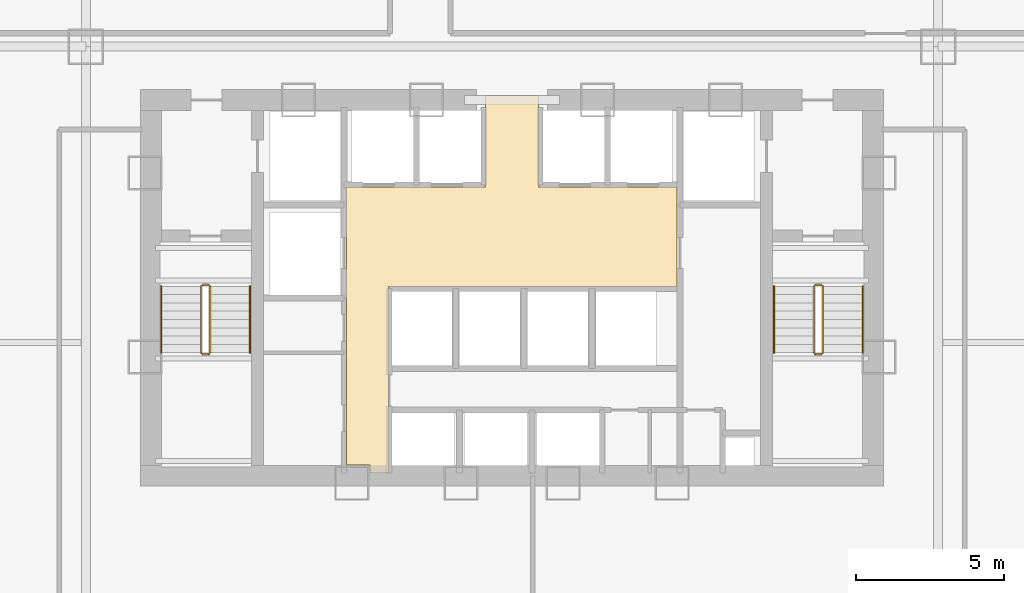
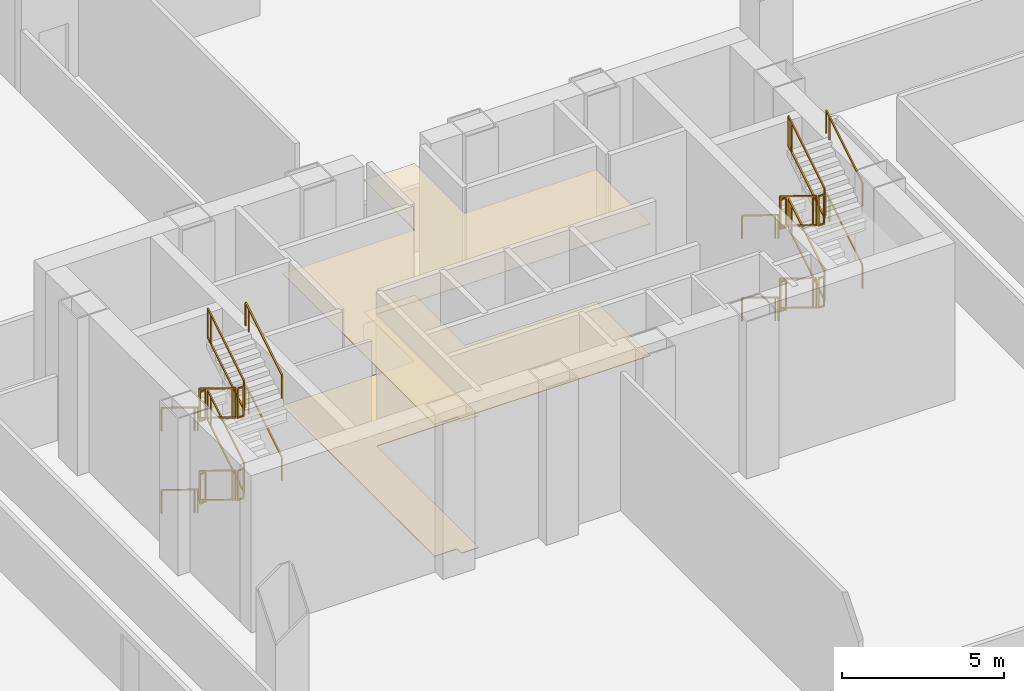
# One storey, part 39 of 41: 24 railings, 2 coverings.
"""IFC4 building model written with IfcOpenShell, lengths in metres."""

from ifc_helpers import new_model, si_unit, direction, frame, origin, origin_2d, place, context, subcontext, project, spatial, polyline, rectangle, outline, extrude, material, layer, layer_set, type_object, element, save


model = new_model("IFC4")

# Units and contexts
model_context = context("Model", 3, precision=1e-05, world=origin(), true_north=direction((0.0, 1.0)))
body_context = subcontext(model_context, "Body", "Model", "MODEL_VIEW")
ifc_project = project(units=[si_unit("LENGTHUNIT", "METRE"), si_unit("AREAUNIT", "SQUARE_METRE"), si_unit("VOLUMEUNIT", "CUBIC_METRE"), si_unit("PLANEANGLEUNIT", "RADIAN"), si_unit("MASSUNIT", "GRAM", prefix="KILO"), si_unit("THERMODYNAMICTEMPERATUREUNIT", "KELVIN"), si_unit("POWERUNIT", "WATT")], contexts=[model_context])

# Site, building, storey
site_placement = place(None, origin())
site = spatial("IfcSite", under=ifc_project, at=site_placement, CompositionType="ELEMENT")
building_placement = place(site_placement, origin())
building = spatial("IfcBuilding", under=site, at=building_placement, Name="Yunzhuo Pagoda Commons", CompositionType="ELEMENT")
storey_placement = place(building_placement, frame((0.0, 0.0, 19.199951171875)))
storey = spatial("IfcBuildingStorey", under=building, at=storey_placement, Name="L05", CompositionType="ELEMENT", Elevation=19.199951171875)

# Coverings
ifc_material_1 = material(Name="Mineral fibre acoustic ceiling board")
ifc_layer_1 = layer(ifc_material_1, 0.02490234375)
ifc_layer_set_1 = layer_set([ifc_layer_1], Name="Mineral fibre acoustic ceiling board")
covering_type_1 = type_object("IfcCoveringType", Name="COV-CL1 Ceiling 25", PredefinedType="CEILING", material=ifc_layer_set_1)
covering_1_placement = place(storey_placement, frame((0.0, 0.0, 4.969970703125)))
element("IfcCovering", 1, at=covering_1_placement, inside=storey, type_object=covering_type_1, Name="L05 lift lobby acoustic ceiling", PredefinedType="CEILING", context=body_context, shape_type="SweptSolid", body=[
    extrude(outline(polyline([(43.207763671875, 27.85009765625), (43.201904296875, 27.864013671875), (43.187744140625, 27.8701171875), (42.39990234375, 27.8701171875), (42.39990234375, 33.89990234375), (42.39990234375, 37.25), (47.10009765625, 37.25), (47.10009765625, 40.35009765625), (48.89990234375, 40.35009765625), (48.89990234375, 37.25), (53.580078125, 37.25), (53.580078125, 33.89990234375), (43.820068359375, 33.89990234375), (43.820068359375, 27.60009765625), (43.207763671875, 27.60009765625), (43.207763671875, 27.85009765625)])), origin(), (0.0, 0.0, 1.0), 0.025146484375),
])
ifc_material_2 = material(Name="Terrazzo stone lobby flooring", Category="masonry")
ifc_layer_2 = layer(ifc_material_2, 0.02392578125)
ifc_layer_set_2 = layer_set([ifc_layer_2], Name="Terrazzo stone lobby flooring")
covering_type_2 = type_object("IfcCoveringType", Name="COV-FL2 Flooring 24", PredefinedType="FLOORING", material=ifc_layer_set_2)
covering_2_placement = place(storey_placement, origin())
element("IfcCovering", 2, at=covering_2_placement, inside=storey, type_object=covering_type_2, Name="L05 lift lobby flooring", PredefinedType="FLOORING", context=body_context, shape_type="SweptSolid", body=[
    extrude(outline(polyline([(43.207763671875, 27.85009765625), (43.201904296875, 27.864013671875), (43.187744140625, 27.8701171875), (42.39990234375, 27.8701171875), (42.39990234375, 33.89990234375), (42.39990234375, 37.25), (47.10009765625, 37.25), (47.10009765625, 40.35009765625), (48.89990234375, 40.35009765625), (48.89990234375, 37.25), (53.580078125, 37.25), (53.580078125, 33.89990234375), (43.820068359375, 33.89990234375), (43.820068359375, 27.60009765625), (43.207763671875, 27.60009765625), (43.207763671875, 27.85009765625)])), origin(), (0.0, 0.0, 1.0), 0.024169921875),
])

# Railings
ifc_material_3 = material(Name="Anodized aluminium 6063-T6", Category="aluminium")
railing_type_1 = type_object("IfcRailingType", Name="GR-ST1 Stair Well Guardrail 1150", PredefinedType="GUARDRAIL", material=ifc_material_3)
railing_1_placement = place(storey_placement, frame((37.5, 33.89990234375, 0.17236328125)))
element("IfcRailing", 3, at=railing_1_placement, inside=storey, type_object=railing_type_1, Name="L05 ST1 stair guard 1", PredefinedType="GUARDRAIL", context=body_context, shape_type="SweptSolid", body=[
    extrude(rectangle(XDim=0.048095703125, YDim=0.048095703125, at=origin_2d()), frame((0.0, 0.0, 1.1259765625), z_axis=(0.0, -0.85178898068, 0.523885037382), x_axis=(1.0, 0.0, 0.0)), (0.0, 0.0, 1.0), 2.629638671875),
    extrude(rectangle(XDim=0.048095703125, YDim=0.048095703125, at=origin_2d()), frame((0.0, 0.0, 0.02392578125), z_axis=(0.0, -0.85178898068, 0.523885037382), x_axis=(1.0, 0.0, 0.0)), (0.0, 0.0, 1.0), 2.629638671875),
    extrude(rectangle(XDim=0.0419921875, YDim=0.0419921875, at=origin_2d()), origin(), (0.0, 0.0, 1.0), 1.101806640625),
    extrude(rectangle(XDim=0.0419921875, YDim=0.0419921875, at=origin_2d()), frame((0.0, -2.044189453125, 1.25732421875)), (0.0, 0.0, 1.0), 1.101806640625),
    extrude(rectangle(XDim=0.0419921875, YDim=0.0419921875, at=origin_2d()), frame((0.0, -2.239990234375, 1.377685546875)), (0.0, 0.0, 1.0), 1.101806640625),
])
railing_2_placement = place(storey_placement, frame((37.550048828125, 31.610107421875, 1.550048828125)))
element("IfcRailing", 4, at=railing_2_placement, inside=storey, type_object=railing_type_1, Name="L05 ST1 stair guard 2", PredefinedType="GUARDRAIL", context=body_context, shape_type="SweptSolid", body=[
    extrude(rectangle(XDim=0.048095703125, YDim=0.048095703125, at=origin_2d()), frame((0.0, 0.0, 1.1259765625), z_axis=(1.0, 0.0, 0.0), x_axis=(0.0, 1.0, 0.0)), (0.0, 0.0, 1.0), 0.199951171875),
    extrude(rectangle(XDim=0.048095703125, YDim=0.048095703125, at=origin_2d()), frame((0.0, 0.0, 0.02392578125), z_axis=(1.0, 0.0, 0.0), x_axis=(0.0, 1.0, 0.0)), (0.0, 0.0, 1.0), 0.199951171875),
    extrude(rectangle(XDim=0.0419921875, YDim=0.0419921875, at=origin_2d()), origin(), (0.0, 0.0, 1.0), 1.101806640625),
    extrude(rectangle(XDim=0.0419921875, YDim=0.0419921875, at=origin_2d()), frame((0.199951171875, 0.0, 0.0)), (0.0, 0.0, 1.0), 1.101806640625),
])
railing_3_placement = place(storey_placement, frame((37.800048828125, 31.659912109375, 1.72216796875)))
element("IfcRailing", 5, at=railing_3_placement, inside=storey, type_object=railing_type_1, Name="L05 ST1 stair guard 3", PredefinedType="GUARDRAIL", context=body_context, shape_type="SweptSolid", body=[
    extrude(rectangle(XDim=0.048095703125, YDim=0.048095703125, at=origin_2d()), frame((0.0, 0.0, 1.1259765625), z_axis=(0.0, 0.851747552033, 0.523952390591), x_axis=(-1.0, 0.0, 0.0)), (0.0, 0.0, 1.0), 2.6298828125),
    extrude(rectangle(XDim=0.048095703125, YDim=0.048095703125, at=origin_2d()), frame((0.0, 0.0, 0.02392578125), z_axis=(0.0, 0.851747552033, 0.523952390591), x_axis=(-1.0, 0.0, 0.0)), (0.0, 0.0, 1.0), 2.6298828125),
    extrude(rectangle(XDim=0.0419921875, YDim=0.0419921875, at=origin_2d()), origin(), (0.0, 0.0, 1.0), 1.101806640625),
    extrude(rectangle(XDim=0.0419921875, YDim=0.0419921875, at=origin_2d()), frame((0.0, 2.044189453125, 1.257568359375)), (0.0, 0.0, 1.0), 1.101806640625),
    extrude(rectangle(XDim=0.0419921875, YDim=0.0419921875, at=origin_2d()), frame((0.0, 2.239990234375, 1.3779296875)), (0.0, 0.0, 1.0), 1.101806640625),
])
railing_4_placement = place(storey_placement, frame((37.550048828125, 33.949951171875, 3.10009765625)))
element("IfcRailing", 6, at=railing_4_placement, inside=storey, type_object=railing_type_1, Name="L05 ST1 stair guard 4", PredefinedType="GUARDRAIL", context=body_context, shape_type="SweptSolid", body=[
    extrude(rectangle(XDim=0.048095703125, YDim=0.048095703125, at=origin_2d()), frame((0.0, 0.0, 1.1259765625), z_axis=(1.0, 0.0, 0.0), x_axis=(0.0, 1.0, 0.0)), (0.0, 0.0, 1.0), 0.199951171875),
    extrude(rectangle(XDim=0.048095703125, YDim=0.048095703125, at=origin_2d()), frame((0.0, 0.0, 0.02392578125), z_axis=(1.0, 0.0, 0.0), x_axis=(0.0, 1.0, 0.0)), (0.0, 0.0, 1.0), 0.199951171875),
    extrude(rectangle(XDim=0.0419921875, YDim=0.0419921875, at=origin_2d()), origin(), (0.0, 0.0, 1.0), 1.101806640625),
    extrude(rectangle(XDim=0.0419921875, YDim=0.0419921875, at=origin_2d()), frame((0.199951171875, 0.0, 0.0)), (0.0, 0.0, 1.0), 1.101806640625),
])
railing_5_placement = place(storey_placement, frame((37.5, 33.89990234375, 3.272216796875)))
element("IfcRailing", 7, at=railing_5_placement, inside=storey, type_object=railing_type_1, Name="L05 ST1 stair guard 5", PredefinedType="GUARDRAIL", context=body_context, shape_type="SweptSolid", body=[
    extrude(rectangle(XDim=0.048095703125, YDim=0.048095703125, at=origin_2d()), frame((0.0, 0.0, 1.1259765625), z_axis=(0.0, -0.851747552033, 0.523952390591), x_axis=(1.0, 0.0, 0.0)), (0.0, 0.0, 1.0), 2.6298828125),
    extrude(rectangle(XDim=0.048095703125, YDim=0.048095703125, at=origin_2d()), frame((0.0, 0.0, 0.02392578125), z_axis=(0.0, -0.851747552033, 0.523952390591), x_axis=(1.0, 0.0, 0.0)), (0.0, 0.0, 1.0), 2.6298828125),
    extrude(rectangle(XDim=0.0419921875, YDim=0.0419921875, at=origin_2d()), origin(), (0.0, 0.0, 1.0), 1.101806640625),
    extrude(rectangle(XDim=0.0419921875, YDim=0.0419921875, at=origin_2d()), frame((0.0, -2.044189453125, 1.257568359375)), (0.0, 0.0, 1.0), 1.101806640625),
    extrude(rectangle(XDim=0.0419921875, YDim=0.0419921875, at=origin_2d()), frame((0.0, -2.239990234375, 1.3779296875)), (0.0, 0.0, 1.0), 1.101806640625),
])
railing_6_placement = place(storey_placement, frame((37.550048828125, 31.610107421875, 4.650146484375)))
element("IfcRailing", 8, at=railing_6_placement, inside=storey, type_object=railing_type_1, Name="L05 ST1 stair guard 6", PredefinedType="GUARDRAIL", context=body_context, shape_type="SweptSolid", body=[
    extrude(rectangle(XDim=0.048095703125, YDim=0.048095703125, at=origin_2d()), frame((0.0, 0.0, 1.1259765625), z_axis=(1.0, 0.0, 0.0), x_axis=(0.0, 1.0, 0.0)), (0.0, 0.0, 1.0), 0.199951171875),
    extrude(rectangle(XDim=0.048095703125, YDim=0.048095703125, at=origin_2d()), frame((0.0, 0.0, 0.02392578125), z_axis=(1.0, 0.0, 0.0), x_axis=(0.0, 1.0, 0.0)), (0.0, 0.0, 1.0), 0.199951171875),
    extrude(rectangle(XDim=0.0419921875, YDim=0.0419921875, at=origin_2d()), origin(), (0.0, 0.0, 1.0), 1.101806640625),
    extrude(rectangle(XDim=0.0419921875, YDim=0.0419921875, at=origin_2d()), frame((0.199951171875, 0.0, 0.0)), (0.0, 0.0, 1.0), 1.101806640625),
])
railing_7_placement = place(storey_placement, frame((37.800048828125, 31.659912109375, 4.822265625)))
element("IfcRailing", 9, at=railing_7_placement, inside=storey, type_object=railing_type_1, Name="L05 ST1 stair guard 7", PredefinedType="GUARDRAIL", context=body_context, shape_type="SweptSolid", body=[
    extrude(rectangle(XDim=0.048095703125, YDim=0.048095703125, at=origin_2d()), frame((0.0, 0.0, 1.1259765625), z_axis=(0.0, 0.85178898068, 0.523885037382), x_axis=(-1.0, 0.0, 0.0)), (0.0, 0.0, 1.0), 2.629638671875),
    extrude(rectangle(XDim=0.048095703125, YDim=0.048095703125, at=origin_2d()), frame((0.0, 0.0, 0.02392578125), z_axis=(0.0, 0.85178898068, 0.523885037382), x_axis=(-1.0, 0.0, 0.0)), (0.0, 0.0, 1.0), 2.629638671875),
    extrude(rectangle(XDim=0.0419921875, YDim=0.0419921875, at=origin_2d()), origin(), (0.0, 0.0, 1.0), 1.101806640625),
    extrude(rectangle(XDim=0.0419921875, YDim=0.0419921875, at=origin_2d()), frame((0.0, 2.044189453125, 1.25732421875)), (0.0, 0.0, 1.0), 1.101806640625),
    extrude(rectangle(XDim=0.0419921875, YDim=0.0419921875, at=origin_2d()), frame((0.0, 2.239990234375, 1.377685546875)), (0.0, 0.0, 1.0), 1.101806640625),
])
railing_8_placement = place(storey_placement, frame((37.550048828125, 33.949951171875, 0.0)))
element("IfcRailing", 10, at=railing_8_placement, inside=storey, type_object=railing_type_1, Name="L05 ST1 stair guard 8", PredefinedType="GUARDRAIL", context=body_context, shape_type="SweptSolid", body=[
    extrude(rectangle(XDim=0.048095703125, YDim=0.048095703125, at=origin_2d()), frame((0.0, 0.0, 1.1259765625), z_axis=(1.0, 0.0, 0.0), x_axis=(0.0, 1.0, 0.0)), (0.0, 0.0, 1.0), 0.199951171875),
    extrude(rectangle(XDim=0.048095703125, YDim=0.048095703125, at=origin_2d()), frame((0.0, 0.0, 0.02392578125), z_axis=(1.0, 0.0, 0.0), x_axis=(0.0, 1.0, 0.0)), (0.0, 0.0, 1.0), 0.199951171875),
    extrude(rectangle(XDim=0.0419921875, YDim=0.0419921875, at=origin_2d()), origin(), (0.0, 0.0, 1.0), 1.101806640625),
    extrude(rectangle(XDim=0.0419921875, YDim=0.0419921875, at=origin_2d()), frame((0.199951171875, 0.0, 0.0)), (0.0, 0.0, 1.0), 1.101806640625),
])
railing_type_2 = type_object("IfcRailingType", Name="GR-ST2 Stair Well Guardrail 1160", PredefinedType="GUARDRAIL", material=ifc_material_3)
railing_9_placement = place(storey_placement, frame((58.199951171875, 33.89990234375, 0.17236328125)))
element("IfcRailing", 11, at=railing_9_placement, inside=storey, type_object=railing_type_2, Name="L05 ST2 stair guard 1", PredefinedType="GUARDRAIL", context=body_context, shape_type="SweptSolid", body=[
    extrude(rectangle(XDim=0.048095703125, YDim=0.048095703125, at=origin_2d()), frame((0.0, 0.0, 1.1259765625), z_axis=(0.0, -0.85178898068, 0.523885037382), x_axis=(1.0, 0.0, 0.0)), (0.0, 0.0, 1.0), 2.629638671875),
    extrude(rectangle(XDim=0.048095703125, YDim=0.048095703125, at=origin_2d()), frame((0.0, 0.0, 0.02392578125), z_axis=(0.0, -0.85178898068, 0.523885037382), x_axis=(1.0, 0.0, 0.0)), (0.0, 0.0, 1.0), 2.629638671875),
    extrude(rectangle(XDim=0.0419921875, YDim=0.0419921875, at=origin_2d()), origin(), (0.0, 0.0, 1.0), 1.101806640625),
    extrude(rectangle(XDim=0.0419921875, YDim=0.0419921875, at=origin_2d()), frame((0.0, -2.044189453125, 1.25732421875)), (0.0, 0.0, 1.0), 1.101806640625),
    extrude(rectangle(XDim=0.0419921875, YDim=0.0419921875, at=origin_2d()), frame((0.0, -2.239990234375, 1.377685546875)), (0.0, 0.0, 1.0), 1.101806640625),
])
railing_10_placement = place(storey_placement, frame((58.25, 31.610107421875, 1.550048828125)))
element("IfcRailing", 12, at=railing_10_placement, inside=storey, type_object=railing_type_2, Name="L05 ST2 stair guard 2", PredefinedType="GUARDRAIL", context=body_context, shape_type="SweptSolid", body=[
    extrude(rectangle(XDim=0.048095703125, YDim=0.048095703125, at=origin_2d()), frame((0.0, 0.0, 1.1259765625), z_axis=(1.0, 0.0, 0.0), x_axis=(0.0, 1.0, 0.0)), (0.0, 0.0, 1.0), 0.199951171875),
    extrude(rectangle(XDim=0.048095703125, YDim=0.048095703125, at=origin_2d()), frame((0.0, 0.0, 0.02392578125), z_axis=(1.0, 0.0, 0.0), x_axis=(0.0, 1.0, 0.0)), (0.0, 0.0, 1.0), 0.199951171875),
    extrude(rectangle(XDim=0.0419921875, YDim=0.0419921875, at=origin_2d()), origin(), (0.0, 0.0, 1.0), 1.101806640625),
    extrude(rectangle(XDim=0.0419921875, YDim=0.0419921875, at=origin_2d()), frame((0.199951171875, 0.0, 0.0)), (0.0, 0.0, 1.0), 1.101806640625),
])
railing_11_placement = place(storey_placement, frame((58.5, 31.659912109375, 1.72216796875)))
element("IfcRailing", 13, at=railing_11_placement, inside=storey, type_object=railing_type_2, Name="L05 ST2 stair guard 3", PredefinedType="GUARDRAIL", context=body_context, shape_type="SweptSolid", body=[
    extrude(rectangle(XDim=0.048095703125, YDim=0.048095703125, at=origin_2d()), frame((0.0, 0.0, 1.1259765625), z_axis=(0.0, 0.851747552033, 0.523952390591), x_axis=(-1.0, 0.0, 0.0)), (0.0, 0.0, 1.0), 2.6298828125),
    extrude(rectangle(XDim=0.048095703125, YDim=0.048095703125, at=origin_2d()), frame((0.0, 0.0, 0.02392578125), z_axis=(0.0, 0.851747552033, 0.523952390591), x_axis=(-1.0, 0.0, 0.0)), (0.0, 0.0, 1.0), 2.6298828125),
    extrude(rectangle(XDim=0.0419921875, YDim=0.0419921875, at=origin_2d()), origin(), (0.0, 0.0, 1.0), 1.101806640625),
    extrude(rectangle(XDim=0.0419921875, YDim=0.0419921875, at=origin_2d()), frame((0.0, 2.044189453125, 1.257568359375)), (0.0, 0.0, 1.0), 1.101806640625),
    extrude(rectangle(XDim=0.0419921875, YDim=0.0419921875, at=origin_2d()), frame((0.0, 2.239990234375, 1.3779296875)), (0.0, 0.0, 1.0), 1.101806640625),
])
railing_12_placement = place(storey_placement, frame((58.25, 33.949951171875, 3.10009765625)))
element("IfcRailing", 14, at=railing_12_placement, inside=storey, type_object=railing_type_2, Name="L05 ST2 stair guard 4", PredefinedType="GUARDRAIL", context=body_context, shape_type="SweptSolid", body=[
    extrude(rectangle(XDim=0.048095703125, YDim=0.048095703125, at=origin_2d()), frame((0.0, 0.0, 1.1259765625), z_axis=(1.0, 0.0, 0.0), x_axis=(0.0, 1.0, 0.0)), (0.0, 0.0, 1.0), 0.199951171875),
    extrude(rectangle(XDim=0.048095703125, YDim=0.048095703125, at=origin_2d()), frame((0.0, 0.0, 0.02392578125), z_axis=(1.0, 0.0, 0.0), x_axis=(0.0, 1.0, 0.0)), (0.0, 0.0, 1.0), 0.199951171875),
    extrude(rectangle(XDim=0.0419921875, YDim=0.0419921875, at=origin_2d()), origin(), (0.0, 0.0, 1.0), 1.101806640625),
    extrude(rectangle(XDim=0.0419921875, YDim=0.0419921875, at=origin_2d()), frame((0.199951171875, 0.0, 0.0)), (0.0, 0.0, 1.0), 1.101806640625),
])
railing_13_placement = place(storey_placement, frame((58.199951171875, 33.89990234375, 3.272216796875)))
element("IfcRailing", 15, at=railing_13_placement, inside=storey, type_object=railing_type_2, Name="L05 ST2 stair guard 5", PredefinedType="GUARDRAIL", context=body_context, shape_type="SweptSolid", body=[
    extrude(rectangle(XDim=0.048095703125, YDim=0.048095703125, at=origin_2d()), frame((0.0, 0.0, 1.1259765625), z_axis=(0.0, -0.851747552033, 0.523952390591), x_axis=(1.0, 0.0, 0.0)), (0.0, 0.0, 1.0), 2.6298828125),
    extrude(rectangle(XDim=0.048095703125, YDim=0.048095703125, at=origin_2d()), frame((0.0, 0.0, 0.02392578125), z_axis=(0.0, -0.851747552033, 0.523952390591), x_axis=(1.0, 0.0, 0.0)), (0.0, 0.0, 1.0), 2.6298828125),
    extrude(rectangle(XDim=0.0419921875, YDim=0.0419921875, at=origin_2d()), origin(), (0.0, 0.0, 1.0), 1.101806640625),
    extrude(rectangle(XDim=0.0419921875, YDim=0.0419921875, at=origin_2d()), frame((0.0, -2.044189453125, 1.257568359375)), (0.0, 0.0, 1.0), 1.101806640625),
    extrude(rectangle(XDim=0.0419921875, YDim=0.0419921875, at=origin_2d()), frame((0.0, -2.239990234375, 1.3779296875)), (0.0, 0.0, 1.0), 1.101806640625),
])
railing_14_placement = place(storey_placement, frame((58.25, 31.610107421875, 4.650146484375)))
element("IfcRailing", 16, at=railing_14_placement, inside=storey, type_object=railing_type_2, Name="L05 ST2 stair guard 6", PredefinedType="GUARDRAIL", context=body_context, shape_type="SweptSolid", body=[
    extrude(rectangle(XDim=0.048095703125, YDim=0.048095703125, at=origin_2d()), frame((0.0, 0.0, 1.1259765625), z_axis=(1.0, 0.0, 0.0), x_axis=(0.0, 1.0, 0.0)), (0.0, 0.0, 1.0), 0.199951171875),
    extrude(rectangle(XDim=0.048095703125, YDim=0.048095703125, at=origin_2d()), frame((0.0, 0.0, 0.02392578125), z_axis=(1.0, 0.0, 0.0), x_axis=(0.0, 1.0, 0.0)), (0.0, 0.0, 1.0), 0.199951171875),
    extrude(rectangle(XDim=0.0419921875, YDim=0.0419921875, at=origin_2d()), origin(), (0.0, 0.0, 1.0), 1.101806640625),
    extrude(rectangle(XDim=0.0419921875, YDim=0.0419921875, at=origin_2d()), frame((0.199951171875, 0.0, 0.0)), (0.0, 0.0, 1.0), 1.101806640625),
])
railing_15_placement = place(storey_placement, frame((58.5, 31.659912109375, 4.822265625)))
element("IfcRailing", 17, at=railing_15_placement, inside=storey, type_object=railing_type_2, Name="L05 ST2 stair guard 7", PredefinedType="GUARDRAIL", context=body_context, shape_type="SweptSolid", body=[
    extrude(rectangle(XDim=0.048095703125, YDim=0.048095703125, at=origin_2d()), frame((0.0, 0.0, 1.1259765625), z_axis=(0.0, 0.85178898068, 0.523885037382), x_axis=(-1.0, 0.0, 0.0)), (0.0, 0.0, 1.0), 2.629638671875),
    extrude(rectangle(XDim=0.048095703125, YDim=0.048095703125, at=origin_2d()), frame((0.0, 0.0, 0.02392578125), z_axis=(0.0, 0.85178898068, 0.523885037382), x_axis=(-1.0, 0.0, 0.0)), (0.0, 0.0, 1.0), 2.629638671875),
    extrude(rectangle(XDim=0.0419921875, YDim=0.0419921875, at=origin_2d()), origin(), (0.0, 0.0, 1.0), 1.101806640625),
    extrude(rectangle(XDim=0.0419921875, YDim=0.0419921875, at=origin_2d()), frame((0.0, 2.044189453125, 1.25732421875)), (0.0, 0.0, 1.0), 1.101806640625),
    extrude(rectangle(XDim=0.0419921875, YDim=0.0419921875, at=origin_2d()), frame((0.0, 2.239990234375, 1.377685546875)), (0.0, 0.0, 1.0), 1.101806640625),
])
railing_16_placement = place(storey_placement, frame((58.25, 33.949951171875, 0.0)))
element("IfcRailing", 18, at=railing_16_placement, inside=storey, type_object=railing_type_2, Name="L05 ST2 stair guard 8", PredefinedType="GUARDRAIL", context=body_context, shape_type="SweptSolid", body=[
    extrude(rectangle(XDim=0.048095703125, YDim=0.048095703125, at=origin_2d()), frame((0.0, 0.0, 1.1259765625), z_axis=(1.0, 0.0, 0.0), x_axis=(0.0, 1.0, 0.0)), (0.0, 0.0, 1.0), 0.199951171875),
    extrude(rectangle(XDim=0.048095703125, YDim=0.048095703125, at=origin_2d()), frame((0.0, 0.0, 0.02392578125), z_axis=(1.0, 0.0, 0.0), x_axis=(0.0, 1.0, 0.0)), (0.0, 0.0, 1.0), 0.199951171875),
    extrude(rectangle(XDim=0.0419921875, YDim=0.0419921875, at=origin_2d()), origin(), (0.0, 0.0, 1.0), 1.101806640625),
    extrude(rectangle(XDim=0.0419921875, YDim=0.0419921875, at=origin_2d()), frame((0.199951171875, 0.0, 0.0)), (0.0, 0.0, 1.0), 1.101806640625),
])
railing_type_3 = type_object("IfcRailingType", Name="HR-ST1 Stair Handrail 900", PredefinedType="HANDRAIL", material=ifc_material_3)
railing_17_placement = place(storey_placement, frame((36.14990234375, 33.89990234375, 0.17236328125)))
element("IfcRailing", 19, at=railing_17_placement, inside=storey, type_object=railing_type_3, Name="L05 ST1 stair handrail 1", PredefinedType="HANDRAIL", context=body_context, shape_type="SweptSolid", body=[
    extrude(rectangle(XDim=0.048095703125, YDim=0.048095703125, at=origin_2d()), frame((0.0, 0.0, 0.8759765625), z_axis=(0.0, -0.85178898068, 0.523885037382), x_axis=(1.0, 0.0, 0.0)), (0.0, 0.0, 1.0), 2.629638671875),
    extrude(rectangle(XDim=0.0419921875, YDim=0.0419921875, at=origin_2d()), origin(), (0.0, 0.0, 1.0), 0.851806640625),
    extrude(rectangle(XDim=0.0419921875, YDim=0.0419921875, at=origin_2d()), frame((0.0, -2.044189453125, 1.25732421875)), (0.0, 0.0, 1.0), 0.851806640625),
    extrude(rectangle(XDim=0.0419921875, YDim=0.0419921875, at=origin_2d()), frame((0.0, -2.239990234375, 1.377685546875)), (0.0, 0.0, 1.0), 0.851806640625),
])
railing_18_placement = place(storey_placement, frame((39.14990234375, 31.659912109375, 1.72216796875)))
element("IfcRailing", 20, at=railing_18_placement, inside=storey, type_object=railing_type_3, Name="L05 ST1 stair handrail 2", PredefinedType="HANDRAIL", context=body_context, shape_type="SweptSolid", body=[
    extrude(rectangle(XDim=0.048095703125, YDim=0.048095703125, at=origin_2d()), frame((0.0, 0.0, 0.8759765625), z_axis=(0.0, 0.851747552033, 0.523952390591), x_axis=(-1.0, 0.0, 0.0)), (0.0, 0.0, 1.0), 2.6298828125),
    extrude(rectangle(XDim=0.0419921875, YDim=0.0419921875, at=origin_2d()), origin(), (0.0, 0.0, 1.0), 0.851806640625),
    extrude(rectangle(XDim=0.0419921875, YDim=0.0419921875, at=origin_2d()), frame((0.0, 2.044189453125, 1.257568359375)), (0.0, 0.0, 1.0), 0.851806640625),
    extrude(rectangle(XDim=0.0419921875, YDim=0.0419921875, at=origin_2d()), frame((0.0, 2.239990234375, 1.3779296875)), (0.0, 0.0, 1.0), 0.851806640625),
])
railing_19_placement = place(storey_placement, frame((36.14990234375, 33.89990234375, 3.272216796875)))
element("IfcRailing", 21, at=railing_19_placement, inside=storey, type_object=railing_type_3, Name="L05 ST1 stair handrail 3", PredefinedType="HANDRAIL", context=body_context, shape_type="SweptSolid", body=[
    extrude(rectangle(XDim=0.048095703125, YDim=0.048095703125, at=origin_2d()), frame((0.0, 0.0, 0.8759765625), z_axis=(0.0, -0.851747552033, 0.523952390591), x_axis=(1.0, 0.0, 0.0)), (0.0, 0.0, 1.0), 2.6298828125),
    extrude(rectangle(XDim=0.0419921875, YDim=0.0419921875, at=origin_2d()), origin(), (0.0, 0.0, 1.0), 0.851806640625),
    extrude(rectangle(XDim=0.0419921875, YDim=0.0419921875, at=origin_2d()), frame((0.0, -2.044189453125, 1.257568359375)), (0.0, 0.0, 1.0), 0.851806640625),
    extrude(rectangle(XDim=0.0419921875, YDim=0.0419921875, at=origin_2d()), frame((0.0, -2.239990234375, 1.3779296875)), (0.0, 0.0, 1.0), 0.851806640625),
])
railing_20_placement = place(storey_placement, frame((39.14990234375, 31.659912109375, 4.822265625)))
element("IfcRailing", 22, at=railing_20_placement, inside=storey, type_object=railing_type_3, Name="L05 ST1 stair handrail 4", PredefinedType="HANDRAIL", context=body_context, shape_type="SweptSolid", body=[
    extrude(rectangle(XDim=0.048095703125, YDim=0.048095703125, at=origin_2d()), frame((0.0, 0.0, 0.8759765625), z_axis=(0.0, 0.85178898068, 0.523885037382), x_axis=(-1.0, 0.0, 0.0)), (0.0, 0.0, 1.0), 2.629638671875),
    extrude(rectangle(XDim=0.0419921875, YDim=0.0419921875, at=origin_2d()), origin(), (0.0, 0.0, 1.0), 0.851806640625),
    extrude(rectangle(XDim=0.0419921875, YDim=0.0419921875, at=origin_2d()), frame((0.0, 2.044189453125, 1.25732421875)), (0.0, 0.0, 1.0), 0.851806640625),
    extrude(rectangle(XDim=0.0419921875, YDim=0.0419921875, at=origin_2d()), frame((0.0, 2.239990234375, 1.377685546875)), (0.0, 0.0, 1.0), 0.851806640625),
])
railing_type_4 = type_object("IfcRailingType", Name="HR-ST2 Stair Handrail 900", PredefinedType="HANDRAIL", material=ifc_material_3)
railing_21_placement = place(storey_placement, frame((56.85009765625, 33.89990234375, 0.17236328125)))
element("IfcRailing", 23, at=railing_21_placement, inside=storey, type_object=railing_type_4, Name="L05 ST2 stair handrail 1", PredefinedType="HANDRAIL", context=body_context, shape_type="SweptSolid", body=[
    extrude(rectangle(XDim=0.048095703125, YDim=0.048095703125, at=origin_2d()), frame((0.0, 0.0, 0.8759765625), z_axis=(0.0, -0.85178898068, 0.523885037382), x_axis=(1.0, 0.0, 0.0)), (0.0, 0.0, 1.0), 2.629638671875),
    extrude(rectangle(XDim=0.0419921875, YDim=0.0419921875, at=origin_2d()), origin(), (0.0, 0.0, 1.0), 0.851806640625),
    extrude(rectangle(XDim=0.0419921875, YDim=0.0419921875, at=origin_2d()), frame((0.0, -2.044189453125, 1.25732421875)), (0.0, 0.0, 1.0), 0.851806640625),
    extrude(rectangle(XDim=0.0419921875, YDim=0.0419921875, at=origin_2d()), frame((0.0, -2.239990234375, 1.377685546875)), (0.0, 0.0, 1.0), 0.851806640625),
])
railing_22_placement = place(storey_placement, frame((59.85009765625, 31.659912109375, 1.72216796875)))
element("IfcRailing", 24, at=railing_22_placement, inside=storey, type_object=railing_type_4, Name="L05 ST2 stair handrail 2", PredefinedType="HANDRAIL", context=body_context, shape_type="SweptSolid", body=[
    extrude(rectangle(XDim=0.048095703125, YDim=0.048095703125, at=origin_2d()), frame((0.0, 0.0, 0.8759765625), z_axis=(0.0, 0.851747552033, 0.523952390591), x_axis=(-1.0, 0.0, 0.0)), (0.0, 0.0, 1.0), 2.6298828125),
    extrude(rectangle(XDim=0.0419921875, YDim=0.0419921875, at=origin_2d()), origin(), (0.0, 0.0, 1.0), 0.851806640625),
    extrude(rectangle(XDim=0.0419921875, YDim=0.0419921875, at=origin_2d()), frame((0.0, 2.044189453125, 1.257568359375)), (0.0, 0.0, 1.0), 0.851806640625),
    extrude(rectangle(XDim=0.0419921875, YDim=0.0419921875, at=origin_2d()), frame((0.0, 2.239990234375, 1.3779296875)), (0.0, 0.0, 1.0), 0.851806640625),
])
railing_23_placement = place(storey_placement, frame((56.85009765625, 33.89990234375, 3.272216796875)))
element("IfcRailing", 25, at=railing_23_placement, inside=storey, type_object=railing_type_4, Name="L05 ST2 stair handrail 3", PredefinedType="HANDRAIL", context=body_context, shape_type="SweptSolid", body=[
    extrude(rectangle(XDim=0.048095703125, YDim=0.048095703125, at=origin_2d()), frame((0.0, 0.0, 0.8759765625), z_axis=(0.0, -0.851747552033, 0.523952390591), x_axis=(1.0, 0.0, 0.0)), (0.0, 0.0, 1.0), 2.6298828125),
    extrude(rectangle(XDim=0.0419921875, YDim=0.0419921875, at=origin_2d()), origin(), (0.0, 0.0, 1.0), 0.851806640625),
    extrude(rectangle(XDim=0.0419921875, YDim=0.0419921875, at=origin_2d()), frame((0.0, -2.044189453125, 1.257568359375)), (0.0, 0.0, 1.0), 0.851806640625),
    extrude(rectangle(XDim=0.0419921875, YDim=0.0419921875, at=origin_2d()), frame((0.0, -2.239990234375, 1.3779296875)), (0.0, 0.0, 1.0), 0.851806640625),
])
railing_24_placement = place(storey_placement, frame((59.85009765625, 31.659912109375, 4.822265625)))
element("IfcRailing", 26, at=railing_24_placement, inside=storey, type_object=railing_type_4, Name="L05 ST2 stair handrail 4", PredefinedType="HANDRAIL", context=body_context, shape_type="SweptSolid", body=[
    extrude(rectangle(XDim=0.048095703125, YDim=0.048095703125, at=origin_2d()), frame((0.0, 0.0, 0.8759765625), z_axis=(0.0, 0.85178898068, 0.523885037382), x_axis=(-1.0, 0.0, 0.0)), (0.0, 0.0, 1.0), 2.629638671875),
    extrude(rectangle(XDim=0.0419921875, YDim=0.0419921875, at=origin_2d()), origin(), (0.0, 0.0, 1.0), 0.851806640625),
    extrude(rectangle(XDim=0.0419921875, YDim=0.0419921875, at=origin_2d()), frame((0.0, 2.044189453125, 1.25732421875)), (0.0, 0.0, 1.0), 0.851806640625),
    extrude(rectangle(XDim=0.0419921875, YDim=0.0419921875, at=origin_2d()), frame((0.0, 2.239990234375, 1.377685546875)), (0.0, 0.0, 1.0), 0.851806640625),
])

save(model, "model.ifc")
